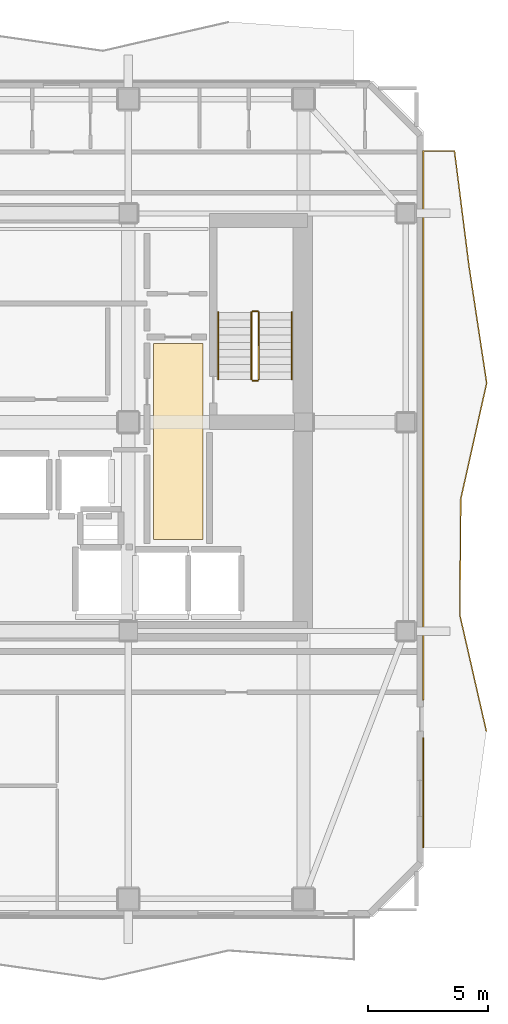
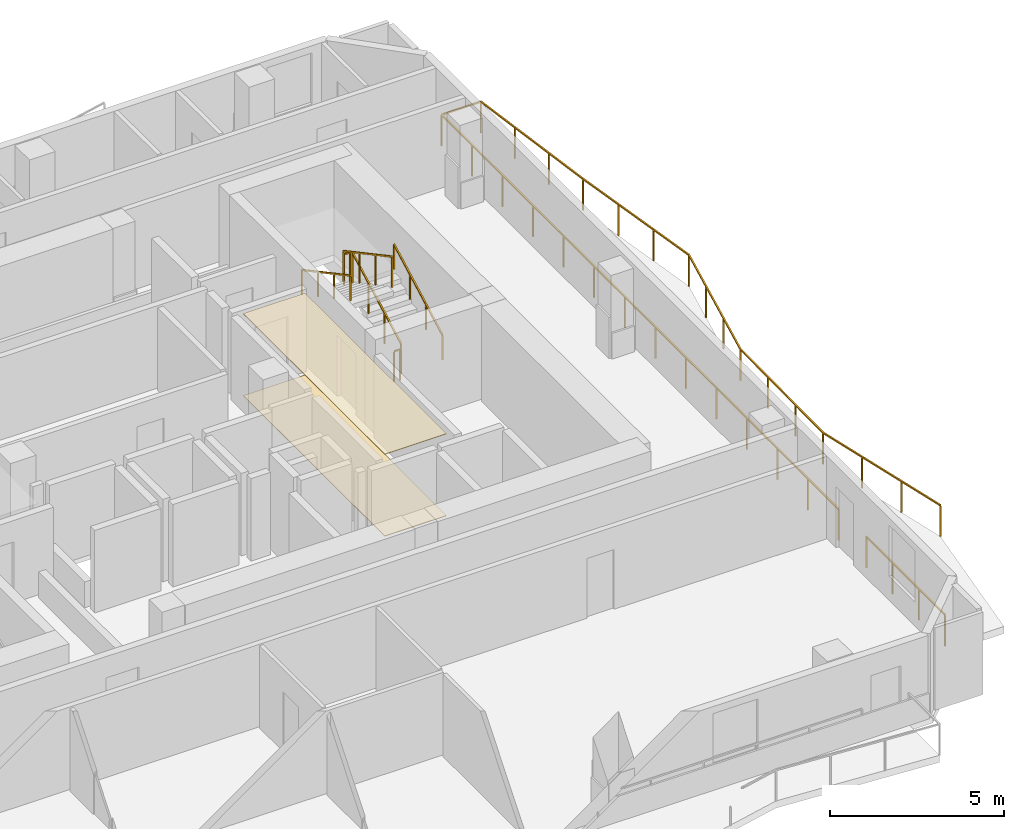
# One storey, part 9 of 10: 8 railings, 2 coverings.
"""IFC4 building model written with IfcOpenShell, lengths in metres."""

import ifcopenshell
import ifcopenshell.guid

model = None  # the IFC model being written
_history = None  # IfcOwnerHistory: only IFC2X3 demands one
_inside = {}  # id of a spatial element -> (the spatial element, [elements in it])
_under = {}  # id of a project, library or spatial element -> (it, [spatial elements below it])
_declared = {}  # id of a project -> (the project, [libraries it declares])
_typed = {}  # id of a type object -> (the type object, [elements of that type])
_made_of = {}  # id of a material, layer set ... -> (it, [elements and type objects made of it])


def new_model(schema):
    """Start an empty IFC model of exactly this schema.

    Asked for "IFC4X3", IfcOpenShell would pick the latest addendum, in which some entities
    have other attributes; the version numbers below select the first issue.
    IFC2X3 requires an IfcOwnerHistory on every rooted entity: one is made here for all.
    """
    global model, _history
    if schema == "IFC4X3":
        model = ifcopenshell.file(schema_version=(4, 3, 0, 0))
    else:
        model = ifcopenshell.file(schema=schema)
    _inside.clear()
    _under.clear()
    _declared.clear()
    _typed.clear()
    _made_of.clear()
    _history = None
    if model.schema == "IFC2X3":
        org = make("IfcOrganization", Name="unknown")
        user = make(
            "IfcPersonAndOrganization",
            ThePerson=make("IfcPerson", FamilyName="unknown"),
            TheOrganization=org,
        )
        app = make(
            "IfcApplication",
            ApplicationDeveloper=org,
            Version="unknown",
            ApplicationFullName="unknown",
            ApplicationIdentifier="unknown",
        )
        _history = make(
            "IfcOwnerHistory",
            OwningUser=user,
            OwningApplication=app,
            ChangeAction="ADDED",
            CreationDate=0,
        )
    return model


def make(cls, **values):
    """One entity of the class cls with the attributes given. An attribute that is None is left unset."""
    return model.create_entity(
        cls, **{name: value for name, value in values.items() if value is not None}
    )


def rooted(cls, **values):
    """An entity with a GlobalId (a new one), such as an element, a storey or a relation."""
    return make(cls, GlobalId=ifcopenshell.guid.new(), OwnerHistory=_history, **values)


def si_unit(unit_type, name, prefix=None):
    """IfcSIUnit, for example si_unit("LENGTHUNIT", "METRE", prefix="MILLI")."""
    return make("IfcSIUnit", UnitType=unit_type, Prefix=prefix, Name=name)


def assignment(units):
    """IfcUnitAssignment: the units of a project."""
    return None if units is None else make("IfcUnitAssignment", Units=units)


def point(xyz):
    """IfcCartesianPoint."""
    return None if xyz is None else make("IfcCartesianPoint", Coordinates=xyz)


def direction(xyz):
    """IfcDirection."""
    return None if xyz is None else make("IfcDirection", DirectionRatios=xyz)


def frame(location, z_axis=None, x_axis=None):
    """IfcAxis2Placement3D, a coordinate frame: its origin and axes. An axis left out is left unset."""
    return make(
        "IfcAxis2Placement3D",
        Location=point(location),
        Axis=direction(z_axis),
        RefDirection=direction(x_axis),
    )


def frame_2d(location, x_axis=None):
    """IfcAxis2Placement2D, a coordinate frame in the plane: its origin and x axis."""
    return make(
        "IfcAxis2Placement2D", Location=point(location), RefDirection=direction(x_axis)
    )


def origin():
    """The frame at (0, 0, 0) with its axes left unset."""
    return frame((0.0, 0.0, 0.0))


def origin_2d():
    """The frame at (0, 0) in the plane with its x axis left unset."""
    return frame_2d((0.0, 0.0))


def place(relative_to, where):
    """IfcLocalPlacement: puts the frame where relative to a parent placement (None: the world)."""
    return make(
        "IfcLocalPlacement", PlacementRelTo=relative_to, RelativePlacement=where
    )


def context(
    kind, dimensions, precision=None, world=None, true_north=None, identifier=None
):
    """IfcGeometricRepresentationContext, for example the 3D "Model" context."""
    return make(
        "IfcGeometricRepresentationContext",
        ContextIdentifier=identifier,
        ContextType=kind,
        CoordinateSpaceDimension=dimensions,
        Precision=precision,
        WorldCoordinateSystem=world,
        TrueNorth=true_north,
    )


def subcontext(parent, identifier, kind, view, scale=None):
    """IfcGeometricRepresentationSubContext, for example "Body" below "Model"."""
    return make(
        "IfcGeometricRepresentationSubContext",
        ContextIdentifier=identifier,
        ContextType=kind,
        ParentContext=parent,
        TargetScale=scale,
        TargetView=view,
    )


def project(units=None, contexts=None):
    """IfcProject with its units and contexts."""
    return rooted(
        "IfcProject",
        Name="project",
        RepresentationContexts=contexts,
        UnitsInContext=assignment(units),
    )


def spatial(cls, under=None, at=None, **own):
    """A site, building, storey or space (cls), placed at a placement, below another one or the project."""
    s = rooted(cls, ObjectPlacement=at, **own)
    if under is not None:
        _under.setdefault(under.id(), (under, []))[1].append(s)
    return s


def polyline(points):
    """IfcPolyline through the points."""
    return make("IfcPolyline", Points=[point(p) for p in points])


def profile(cls, at=None, kind="AREA", **sizes):
    """A parametric profile (cls). Its sizes go by their IFC names, for example OverallWidth=200.0."""
    return make(cls, ProfileType=kind, Position=at, **sizes)


def rectangle(**sizes):
    """IfcRectangleProfileDef."""
    return profile("IfcRectangleProfileDef", **sizes)


def outline(outer, holes=None, kind="AREA"):
    """IfcArbitraryClosedProfileDef: a profile drawn as a closed curve; with holes, ...WithVoids."""
    if holes is None:
        return make("IfcArbitraryClosedProfileDef", ProfileType=kind, OuterCurve=outer)
    return make(
        "IfcArbitraryProfileDefWithVoids",
        ProfileType=kind,
        OuterCurve=outer,
        InnerCurves=holes,
    )


def extrude(swept, where, along, depth):
    """IfcExtrudedAreaSolid: the profile swept, set in the frame where, extruded along a direction by depth."""
    return make(
        "IfcExtrudedAreaSolid",
        SweptArea=swept,
        Position=where,
        ExtrudedDirection=direction(along),
        Depth=depth,
    )


def shape(context_of_items, identifier, shape_type, items):
    """IfcShapeRepresentation: the items that make up one representation, for example the "Body"."""
    return make(
        "IfcShapeRepresentation",
        ContextOfItems=context_of_items,
        RepresentationIdentifier=identifier,
        RepresentationType=shape_type,
        Items=items,
    )


def material(Name=None, Category=None):
    """IfcMaterial."""
    return make("IfcMaterial", Name=Name, Category=Category)


def layer(
    of_material, thickness, ventilated=None, Name=None, Category=None, Priority=None
):
    """IfcMaterialLayer: one layer of a wall or slab, of a material (None: an air gap)."""
    return make(
        "IfcMaterialLayer",
        Material=of_material,
        LayerThickness=thickness,
        IsVentilated=ventilated,
        Name=Name,
        Category=Category,
        Priority=Priority,
    )


def layer_set(layers, Name=None):
    """IfcMaterialLayerSet."""
    return make("IfcMaterialLayerSet", MaterialLayers=layers, LayerSetName=Name)


def made_of(thing, what):
    """Note that an element or type object is made of a material, layer set ...; save() writes the relation."""
    if what is not None:
        _made_of.setdefault(what.id(), (what, []))[1].append(thing)
    return thing


def type_object(cls, material=None, **own):
    """A type object (cls), such as IfcWallType, which elements share."""
    return made_of(rooted(cls, **own), material)


def element(
    cls,
    number,
    at=None,
    inside=None,
    cuts=None,
    type_object=None,
    material=None,
    context=None,
    identifier="Body",
    shape_type=None,
    held_by="IfcProductDefinitionShape",
    body=None,
    shapes=None,
    **own,
):
    """One element of the class cls, such as IfcWall. Its Tag is "e" and its number.

    at: its placement. inside: the storey or other place that contains it. cuts: it is an
    opening in that element (IfcRelVoidsElement). A single representation is given by context,
    identifier, shape_type and body (its items); several are given by shapes. held_by: the class
    of the entity that holds the representations. save() writes the other relations.
    """
    e = rooted(cls, Tag="e%d" % number, ObjectPlacement=at, **own)
    if body is not None:
        shapes = [shape(context, identifier, shape_type, body)]
    if shapes is not None:
        e.Representation = make(held_by, Representations=shapes)
    if inside is not None:
        _inside.setdefault(inside.id(), (inside, []))[1].append(e)
    if cuts is not None:
        rooted(
            "IfcRelVoidsElement", RelatingBuildingElement=cuts, RelatedOpeningElement=e
        )
    if type_object is not None:
        _typed.setdefault(type_object.id(), (type_object, []))[1].append(e)
    return made_of(e, material)


def aggregate(whole, parts):
    """IfcRelAggregates: a whole, such as a stair, and the parts it consists of."""
    return rooted("IfcRelAggregates", RelatingObject=whole, RelatedObjects=parts)


def save(model, path):
    """Write the relations noted so far, then the file.

    IfcRelAggregates (storeys below a building ...), IfcRelContainedInSpatialStructure (elements
    in a storey), IfcRelDefinesByType, IfcRelAssociatesMaterial and IfcRelDeclares: one each for
    every whole, place, type object, material and project.
    """
    for whole, parts in _under.values():
        aggregate(whole, parts)
    for where, things in _inside.values():
        rooted(
            "IfcRelContainedInSpatialStructure",
            RelatedElements=things,
            RelatingStructure=where,
        )
    for kind, things in _typed.values():
        rooted("IfcRelDefinesByType", RelatedObjects=things, RelatingType=kind)
    for what, things in _made_of.values():
        rooted("IfcRelAssociatesMaterial", RelatedObjects=things, RelatingMaterial=what)
    for by, libraries in _declared.values():
        rooted("IfcRelDeclares", RelatingContext=by, RelatedDefinitions=libraries)
    model.write(path)


model = new_model("IFC4")

# Units and contexts
model_context = context("Model", 3, precision=1e-05, world=origin(), true_north=direction((0.0, 1.0)))
body_context = subcontext(model_context, "Body", "Model", "MODEL_VIEW")
ifc_project = project(units=[si_unit("LENGTHUNIT", "METRE"), si_unit("AREAUNIT", "SQUARE_METRE"), si_unit("VOLUMEUNIT", "CUBIC_METRE"), si_unit("PLANEANGLEUNIT", "RADIAN"), si_unit("MASSUNIT", "GRAM", prefix="KILO")], contexts=[model_context])

# Site, building, storey
site_placement = place(None, origin())
site = spatial("IfcSite", under=ifc_project, at=site_placement, CompositionType="ELEMENT")
building_placement = place(site_placement, origin())
building = spatial("IfcBuilding", under=site, at=building_placement, Name="Solanera Arch Residences", CompositionType="ELEMENT")
storey_placement = place(building_placement, frame((0.0, 0.0, 206.760009765625)))
storey = spatial("IfcBuildingStorey", under=building, at=storey_placement, Name="L60", CompositionType="ELEMENT", Elevation=206.760009765625)

# Railings
ifc_material_1 = material(Name="Steel S355 (ASTM A992 / A572 Grade 50)", Category="steel")
railing_type_1 = type_object("IfcRailingType", Name="Balustrade Railing BL-1100", PredefinedType="BALUSTRADE", material=ifc_material_1)
railing_1_placement = place(storey_placement, frame((44.112060546875, 17.8330078125, 0.0)))
element("IfcRailing", 1, at=railing_1_placement, inside=storey, type_object=railing_type_1, Name="L60 E Balcony Balustrade 1", PredefinedType="BALUSTRADE", context=body_context, shape_type="SweptSolid", body=[
    extrude(rectangle(XDim=0.048095703125, YDim=0.048095703125, at=origin_2d()), frame((0.0, 0.0, 1.09619140625), z_axis=(-0.222650996843, 0.974898217049, 0.0), x_axis=(-0.974898217049, -0.222650996843, 0.0)), (0.0, 0.0, 1.0), 4.95849609375),
    extrude(rectangle(XDim=0.048095703125, YDim=0.048095703125, at=origin_2d()), frame((-1.10400390625, 4.833984375, 1.09619140625), z_axis=(0.007829624618, 0.999969348019, 0.0), x_axis=(-0.999969348019, 0.007829624618, 0.0)), (0.0, 0.0, 1.0), 4.833251953125),
    extrude(rectangle(XDim=0.048095703125, YDim=0.048095703125, at=origin_2d()), frame((-1.066162109375, 9.6669921875, 1.09619140625), z_axis=(0.218099562705, 0.975926524257, 0.0), x_axis=(-0.975926524257, 0.218099562705, 0.0)), (0.0, 0.0, 1.0), 4.9521484375),
    extrude(rectangle(XDim=0.048095703125, YDim=0.048095703125, at=origin_2d()), frame((0.013916015625, 14.5, 1.09619140625), z_axis=(-0.149707748238, 0.988730291898, 0.0), x_axis=(-0.988730291898, -0.149707748238, 0.0)), (0.0, 0.0, 1.0), 4.88916015625),
    extrude(rectangle(XDim=0.048095703125, YDim=0.048095703125, at=origin_2d()), frame((-0.718017578125, 19.333984375, 1.09619140625), z_axis=(-0.125243630816, 0.992126016663, 0.0), x_axis=(-0.992126016663, -0.125243630816, 0.0)), (0.0, 0.0, 1.0), 4.871337890625),
    extrude(rectangle(XDim=0.048095703125, YDim=0.048095703125, at=origin_2d()), frame((-1.328125, 24.1669921875, 1.09619140625), z_axis=(-1.0, 0.0, 0.0), x_axis=(0.0, -1.0, 0.0)), (0.0, 0.0, 1.0), 1.303955078125),
    extrude(rectangle(XDim=0.048095703125, YDim=0.048095703125, at=origin_2d()), frame((-2.632080078125, 24.1669921875, 1.09619140625), z_axis=(0.0, -1.0, 0.0), x_axis=(1.0, 0.0, 0.0)), (0.0, 0.0, 1.0), 22.863037109375),
    extrude(rectangle(XDim=0.0419921875, YDim=0.0419921875, at=origin_2d()), origin(), (0.0, 0.0, 1.0), 1.072021484375),
    extrude(rectangle(XDim=0.0419921875, YDim=0.0419921875, at=origin_2d()), frame((-0.367919921875, 1.611328125, 0.0)), (0.0, 0.0, 1.0), 1.072021484375),
    extrude(rectangle(XDim=0.0419921875, YDim=0.0419921875, at=origin_2d()), frame((-0.736083984375, 3.22265625, 0.0)), (0.0, 0.0, 1.0), 1.072021484375),
    extrude(rectangle(XDim=0.0419921875, YDim=0.0419921875, at=origin_2d()), frame((-1.10400390625, 4.833984375, 0.0)), (0.0, 0.0, 1.0), 1.072021484375),
    extrude(rectangle(XDim=0.0419921875, YDim=0.0419921875, at=origin_2d()), frame((-1.09130859375, 6.445068359375, 0.0)), (0.0, 0.0, 1.0), 1.072021484375),
    extrude(rectangle(XDim=0.0419921875, YDim=0.0419921875, at=origin_2d()), frame((-1.078857421875, 8.055908203125, 0.0)), (0.0, 0.0, 1.0), 1.072021484375),
    extrude(rectangle(XDim=0.0419921875, YDim=0.0419921875, at=origin_2d()), frame((-1.066162109375, 9.6669921875, 0.0)), (0.0, 0.0, 1.0), 1.072021484375),
    extrude(rectangle(XDim=0.0419921875, YDim=0.0419921875, at=origin_2d()), frame((-0.7060546875, 11.278076171875, 0.0)), (0.0, 0.0, 1.0), 1.072021484375),
    extrude(rectangle(XDim=0.0419921875, YDim=0.0419921875, at=origin_2d()), frame((-0.34619140625, 12.888916015625, 0.0)), (0.0, 0.0, 1.0), 1.072021484375),
    extrude(rectangle(XDim=0.0419921875, YDim=0.0419921875, at=origin_2d()), frame((0.013916015625, 14.5, 0.0)), (0.0, 0.0, 1.0), 1.072021484375),
    extrude(rectangle(XDim=0.0419921875, YDim=0.0419921875, at=origin_2d()), frame((-0.22998046875, 16.111328125, 0.0)), (0.0, 0.0, 1.0), 1.072021484375),
    extrude(rectangle(XDim=0.0419921875, YDim=0.0419921875, at=origin_2d()), frame((-0.47412109375, 17.72265625, 0.0)), (0.0, 0.0, 1.0), 1.072021484375),
    extrude(rectangle(XDim=0.0419921875, YDim=0.0419921875, at=origin_2d()), frame((-0.718017578125, 19.333984375, 0.0)), (0.0, 0.0, 1.0), 1.072021484375),
    extrude(rectangle(XDim=0.0419921875, YDim=0.0419921875, at=origin_2d()), frame((-0.92138671875, 20.945068359375, 0.0)), (0.0, 0.0, 1.0), 1.072021484375),
    extrude(rectangle(XDim=0.0419921875, YDim=0.0419921875, at=origin_2d()), frame((-1.124755859375, 22.555908203125, 0.0)), (0.0, 0.0, 1.0), 1.072021484375),
    extrude(rectangle(XDim=0.0419921875, YDim=0.0419921875, at=origin_2d()), frame((-1.328125, 24.1669921875, 0.0)), (0.0, 0.0, 1.0), 1.072021484375),
    extrude(rectangle(XDim=0.0419921875, YDim=0.0419921875, at=origin_2d()), frame((-2.632080078125, 24.1669921875, 0.0)), (0.0, 0.0, 1.0), 1.072021484375),
    extrude(rectangle(XDim=0.0419921875, YDim=0.0419921875, at=origin_2d()), frame((-2.632080078125, 22.408203125, 0.0)), (0.0, 0.0, 1.0), 1.072021484375),
    extrude(rectangle(XDim=0.0419921875, YDim=0.0419921875, at=origin_2d()), frame((-2.632080078125, 20.649658203125, 0.0)), (0.0, 0.0, 1.0), 1.072021484375),
    extrude(rectangle(XDim=0.0419921875, YDim=0.0419921875, at=origin_2d()), frame((-2.632080078125, 18.890869140625, 0.0)), (0.0, 0.0, 1.0), 1.072021484375),
    extrude(rectangle(XDim=0.0419921875, YDim=0.0419921875, at=origin_2d()), frame((-2.632080078125, 17.13232421875, 0.0)), (0.0, 0.0, 1.0), 1.072021484375),
    extrude(rectangle(XDim=0.0419921875, YDim=0.0419921875, at=origin_2d()), frame((-2.632080078125, 15.37353515625, 0.0)), (0.0, 0.0, 1.0), 1.072021484375),
    extrude(rectangle(XDim=0.0419921875, YDim=0.0419921875, at=origin_2d()), frame((-2.632080078125, 13.61474609375, 0.0)), (0.0, 0.0, 1.0), 1.072021484375),
    extrude(rectangle(XDim=0.0419921875, YDim=0.0419921875, at=origin_2d()), frame((-2.632080078125, 11.856201171875, 0.0)), (0.0, 0.0, 1.0), 1.072021484375),
    extrude(rectangle(XDim=0.0419921875, YDim=0.0419921875, at=origin_2d()), frame((-2.632080078125, 10.097412109375, 0.0)), (0.0, 0.0, 1.0), 1.072021484375),
    extrude(rectangle(XDim=0.0419921875, YDim=0.0419921875, at=origin_2d()), frame((-2.632080078125, 8.338623046875, 0.0)), (0.0, 0.0, 1.0), 1.072021484375),
    extrude(rectangle(XDim=0.0419921875, YDim=0.0419921875, at=origin_2d()), frame((-2.632080078125, 6.580078125, 0.0)), (0.0, 0.0, 1.0), 1.072021484375),
    extrude(rectangle(XDim=0.0419921875, YDim=0.0419921875, at=origin_2d()), frame((-2.632080078125, 4.8212890625, 0.0)), (0.0, 0.0, 1.0), 1.072021484375),
    extrude(rectangle(XDim=0.0419921875, YDim=0.0419921875, at=origin_2d()), frame((-2.632080078125, 3.062744140625, 0.0)), (0.0, 0.0, 1.0), 1.072021484375),
    extrude(rectangle(XDim=0.0419921875, YDim=0.0419921875, at=origin_2d()), frame((-2.632080078125, 1.303955078125, 0.0)), (0.0, 0.0, 1.0), 1.072021484375),
])
railing_2_placement = place(storey_placement, frame((41.47998046875, 17.537109375, 0.0)))
element("IfcRailing", 2, at=railing_2_placement, inside=storey, type_object=railing_type_1, Name="L60 E Balcony Balustrade 2", PredefinedType="BALUSTRADE", context=body_context, shape_type="SweptSolid", body=[
    extrude(rectangle(XDim=0.048095703125, YDim=0.048095703125, at=origin_2d()), frame((0.0, 0.0, 1.09619140625), z_axis=(0.0, -1.0, 0.0), x_axis=(1.0, 0.0, 0.0)), (0.0, 0.0, 1.0), 4.537109375),
    extrude(rectangle(XDim=0.0419921875, YDim=0.0419921875, at=origin_2d()), origin(), (0.0, 0.0, 1.0), 1.072021484375),
    extrude(rectangle(XDim=0.0419921875, YDim=0.0419921875, at=origin_2d()), frame((0.0, -1.512451171875, 0.0)), (0.0, 0.0, 1.0), 1.072021484375),
    extrude(rectangle(XDim=0.0419921875, YDim=0.0419921875, at=origin_2d()), frame((0.0, -3.024658203125, 0.0)), (0.0, 0.0, 1.0), 1.072021484375),
    extrude(rectangle(XDim=0.0419921875, YDim=0.0419921875, at=origin_2d()), frame((0.0, -4.537109375, 0.0)), (0.0, 0.0, 1.0), 1.072021484375),
])

# Covering
ifc_material_2 = material(Name="Porcelain Acoustic Floor Tile", Category="ceramic")
ifc_layer_1 = layer(ifc_material_2, 0.02001953125)
ifc_layer_set_1 = layer_set([ifc_layer_1], Name="Porcelain Acoustic Floor Tile")
covering_type_1 = type_object("IfcCoveringType", Name="Porcelain Acoustic Floor Finish FLR-20", PredefinedType="FLOORING", material=ifc_layer_set_1)
covering_1_placement = place(storey_placement, origin())
element("IfcCovering", 3, at=covering_1_placement, inside=storey, type_object=covering_type_1, Name="L60-FFL-E Porcelain Floor Finish", PredefinedType="FLOORING", context=body_context, shape_type="SweptSolid", body=[
    extrude(outline(polyline([(32.304931640625, 25.824951171875), (30.25, 25.824951171875), (30.25, 33.97509765625), (32.304931640625, 33.97509765625), (32.304931640625, 25.824951171875)])), origin(), (0.0, 0.0, 1.0), 0.02001953125),
])

# Railings
ifc_material_3 = material(Name="Steel S355 (ASTM A992 / A572 Grade 50)", Category="steel")
railing_type_2 = type_object("IfcRailingType", Name="Stair Guardrail GR-1100", PredefinedType="GUARDRAIL", material=ifc_material_3)
railing_3_placement = place(storey_placement, frame((34.6298828125, 32.47998046875, 0.15087890625)))
element("IfcRailing", 4, at=railing_3_placement, inside=storey, type_object=railing_type_2, Name="L60 ST-T2 stair guard 1", PredefinedType="GUARDRAIL", context=body_context, shape_type="SweptSolid", body=[
    extrude(rectangle(XDim=0.048095703125, YDim=0.048095703125, at=origin_2d()), frame((0.0, 0.0, 1.076171875), z_axis=(0.0, 0.881548766853, 0.472092969298), x_axis=(-1.0, 0.0, 0.0)), (0.0, 0.0, 1.0), 3.1650390625),
    extrude(rectangle(XDim=0.0419921875, YDim=0.0419921875, at=origin_2d()), origin(), (0.0, 0.0, 1.0), 1.052001953125),
    extrude(rectangle(XDim=0.0419921875, YDim=0.0419921875, at=origin_2d()), frame((0.0, 0.929931640625, 0.498046875)), (0.0, 0.0, 1.0), 1.052001953125),
    extrude(rectangle(XDim=0.0419921875, YDim=0.0419921875, at=origin_2d()), frame((0.0, 1.860107421875, 0.99609375)), (0.0, 0.0, 1.0), 1.052001953125),
    extrude(rectangle(XDim=0.0419921875, YDim=0.0419921875, at=origin_2d()), frame((0.0, 2.7900390625, 1.494140625)), (0.0, 0.0, 1.0), 1.052001953125),
])
railing_4_placement = place(storey_placement, frame((34.580078125, 35.320068359375, 1.64501953125)))
element("IfcRailing", 5, at=railing_4_placement, inside=storey, type_object=railing_type_2, Name="L60 ST-T2 stair guard 2", PredefinedType="GUARDRAIL", context=body_context, shape_type="SweptSolid", body=[
    extrude(rectangle(XDim=0.048095703125, YDim=0.048095703125, at=origin_2d()), frame((0.0, 0.0, 1.076171875), z_axis=(-1.0, 0.0, 0.0), x_axis=(0.0, -1.0, 0.0)), (0.0, 0.0, 1.0), 0.2001953125),
    extrude(rectangle(XDim=0.0419921875, YDim=0.0419921875, at=origin_2d()), origin(), (0.0, 0.0, 1.0), 1.052001953125),
    extrude(rectangle(XDim=0.0419921875, YDim=0.0419921875, at=origin_2d()), frame((-0.2001953125, 0.0, 0.0)), (0.0, 0.0, 1.0), 1.052001953125),
])
railing_5_placement = place(storey_placement, frame((34.330078125, 35.27001953125, 1.81103515625)))
element("IfcRailing", 6, at=railing_5_placement, inside=storey, type_object=railing_type_2, Name="L60 ST-T2 stair guard 3", PredefinedType="GUARDRAIL", context=body_context, shape_type="SweptSolid", body=[
    extrude(rectangle(XDim=0.048095703125, YDim=0.048095703125, at=origin_2d()), frame((0.0, 0.0, 1.076171875), z_axis=(0.0, -0.881580869306, 0.472033018838), x_axis=(1.0, 0.0, 0.0)), (0.0, 0.0, 1.0), 3.164794921875),
    extrude(rectangle(XDim=0.0419921875, YDim=0.0419921875, at=origin_2d()), origin(), (0.0, 0.0, 1.0), 1.052001953125),
    extrude(rectangle(XDim=0.0419921875, YDim=0.0419921875, at=origin_2d()), frame((0.0, -0.929931640625, 0.498046875)), (0.0, 0.0, 1.0), 1.052001953125),
    extrude(rectangle(XDim=0.0419921875, YDim=0.0419921875, at=origin_2d()), frame((0.0, -1.860107421875, 0.995849609375)), (0.0, 0.0, 1.0), 1.052001953125),
    extrude(rectangle(XDim=0.0419921875, YDim=0.0419921875, at=origin_2d()), frame((0.0, -2.7900390625, 1.493896484375)), (0.0, 0.0, 1.0), 1.052001953125),
])
railing_6_placement = place(storey_placement, frame((34.580078125, 32.429931640625, -0.014892578125)))
element("IfcRailing", 7, at=railing_6_placement, inside=storey, type_object=railing_type_2, Name="L60 ST-T2 stair guard 4", PredefinedType="GUARDRAIL", context=body_context, shape_type="SweptSolid", body=[
    extrude(rectangle(XDim=0.048095703125, YDim=0.048095703125, at=origin_2d()), frame((0.0, 0.0, 1.076171875), z_axis=(-1.0, 0.0, 0.0), x_axis=(0.0, -1.0, 0.0)), (0.0, 0.0, 1.0), 0.2001953125),
    extrude(rectangle(XDim=0.0419921875, YDim=0.0419921875, at=origin_2d()), origin(), (0.0, 0.0, 1.0), 1.052001953125),
    extrude(rectangle(XDim=0.0419921875, YDim=0.0419921875, at=origin_2d()), frame((-0.2001953125, 0.0, 0.0)), (0.0, 0.0, 1.0), 1.052001953125),
])
ifc_material_4 = material(Name="Steel S355 (ASTM A992 / A572 Grade 50)", Category="steel")
railing_type_3 = type_object("IfcRailingType", Name="Stair Wall Handrail HR-920", PredefinedType="HANDRAIL", material=ifc_material_4)
railing_7_placement = place(storey_placement, frame((36.010009765625, 32.47998046875, 0.166015625)))
element("IfcRailing", 8, at=railing_7_placement, inside=storey, type_object=railing_type_3, Name="L60 ST-T2 stair handrail 1", PredefinedType="HANDRAIL", context=body_context, shape_type="SweptSolid", body=[
    extrude(rectangle(XDim=0.048095703125, YDim=0.048095703125, at=origin_2d()), frame((0.0, 0.0, 0.8759765625), z_axis=(0.0, 0.881580869306, 0.472033018838), x_axis=(-1.0, 0.0, 0.0)), (0.0, 0.0, 1.0), 3.164794921875),
    extrude(rectangle(XDim=0.0419921875, YDim=0.0419921875, at=origin_2d()), origin(), (0.0, 0.0, 1.0), 0.851806640625),
    extrude(rectangle(XDim=0.0419921875, YDim=0.0419921875, at=origin_2d()), frame((0.0, 0.929931640625, 0.498046875)), (0.0, 0.0, 1.0), 0.851806640625),
    extrude(rectangle(XDim=0.0419921875, YDim=0.0419921875, at=origin_2d()), frame((0.0, 1.860107421875, 0.995849609375)), (0.0, 0.0, 1.0), 0.851806640625),
    extrude(rectangle(XDim=0.0419921875, YDim=0.0419921875, at=origin_2d()), frame((0.0, 2.7900390625, 1.493896484375)), (0.0, 0.0, 1.0), 0.851806640625),
])
railing_8_placement = place(storey_placement, frame((32.949951171875, 35.27001953125, 1.825927734375)))
element("IfcRailing", 9, at=railing_8_placement, inside=storey, type_object=railing_type_3, Name="L60 ST-T2 stair handrail 2", PredefinedType="HANDRAIL", context=body_context, shape_type="SweptSolid", body=[
    extrude(rectangle(XDim=0.048095703125, YDim=0.048095703125, at=origin_2d()), frame((0.0, 0.0, 0.8759765625), z_axis=(0.0, -0.881548766853, 0.472092969298), x_axis=(1.0, 0.0, 0.0)), (0.0, 0.0, 1.0), 3.1650390625),
    extrude(rectangle(XDim=0.0419921875, YDim=0.0419921875, at=origin_2d()), origin(), (0.0, 0.0, 1.0), 0.851806640625),
    extrude(rectangle(XDim=0.0419921875, YDim=0.0419921875, at=origin_2d()), frame((0.0, -0.929931640625, 0.498046875)), (0.0, 0.0, 1.0), 0.851806640625),
    extrude(rectangle(XDim=0.0419921875, YDim=0.0419921875, at=origin_2d()), frame((0.0, -1.860107421875, 0.99609375)), (0.0, 0.0, 1.0), 0.851806640625),
    extrude(rectangle(XDim=0.0419921875, YDim=0.0419921875, at=origin_2d()), frame((0.0, -2.7900390625, 1.494140625)), (0.0, 0.0, 1.0), 0.851806640625),
])

# Covering
ifc_material_5 = material(Name="Mineral Fibre Acoustic Ceiling Board", Category="gypsum")
ifc_layer_2 = layer(ifc_material_5, 0.02490234375)
ifc_layer_set_2 = layer_set([ifc_layer_2], Name="Mineral Fibre Acoustic Ceiling Board")
covering_type_2 = type_object("IfcCoveringType", Name="Suspended Acoustic Ceiling Board CLG-25", PredefinedType="CEILING", material=ifc_layer_set_2)
covering_2_placement = place(storey_placement, frame((0.0, 0.0, 2.875)))
element("IfcCovering", 10, at=covering_2_placement, inside=storey, type_object=covering_type_2, Name="L60-FFL-E Acoustic Ceiling", PredefinedType="CEILING", context=body_context, shape_type="SweptSolid", body=[
    extrude(outline(polyline([(32.304931640625, 25.824951171875), (30.25, 25.824951171875), (30.25, 33.97509765625), (32.304931640625, 33.97509765625), (32.304931640625, 25.824951171875)])), origin(), (0.0, 0.0, 1.0), 0.02490234375),
])

save(model, "model.ifc")
